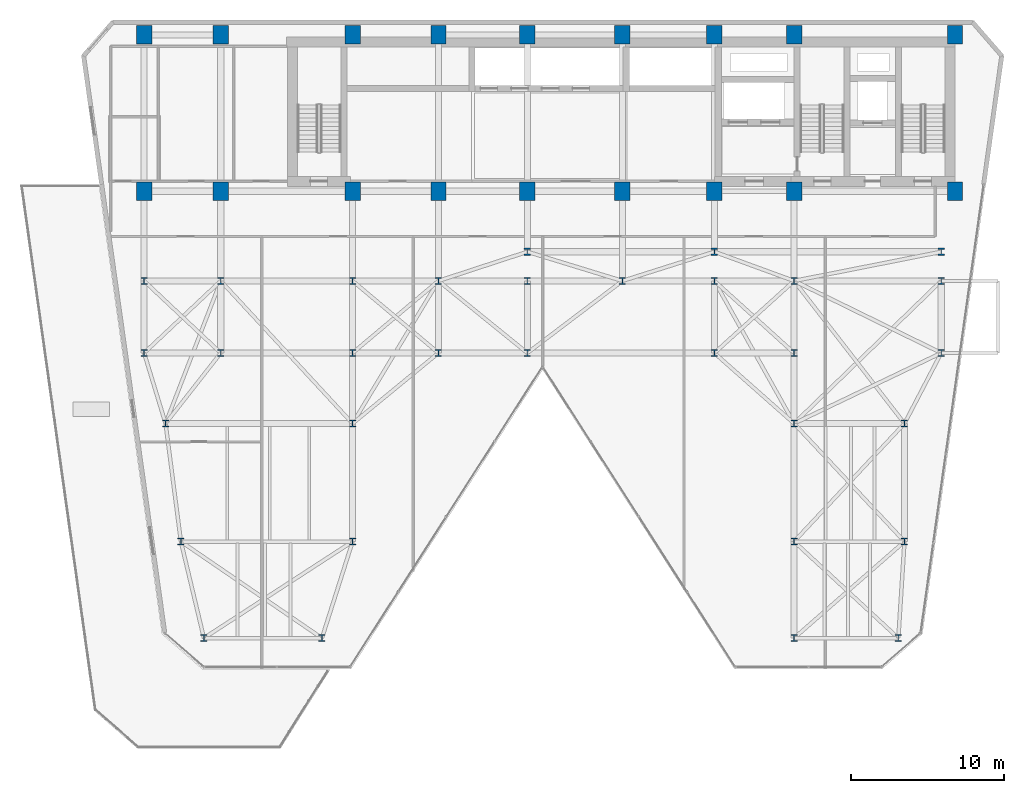
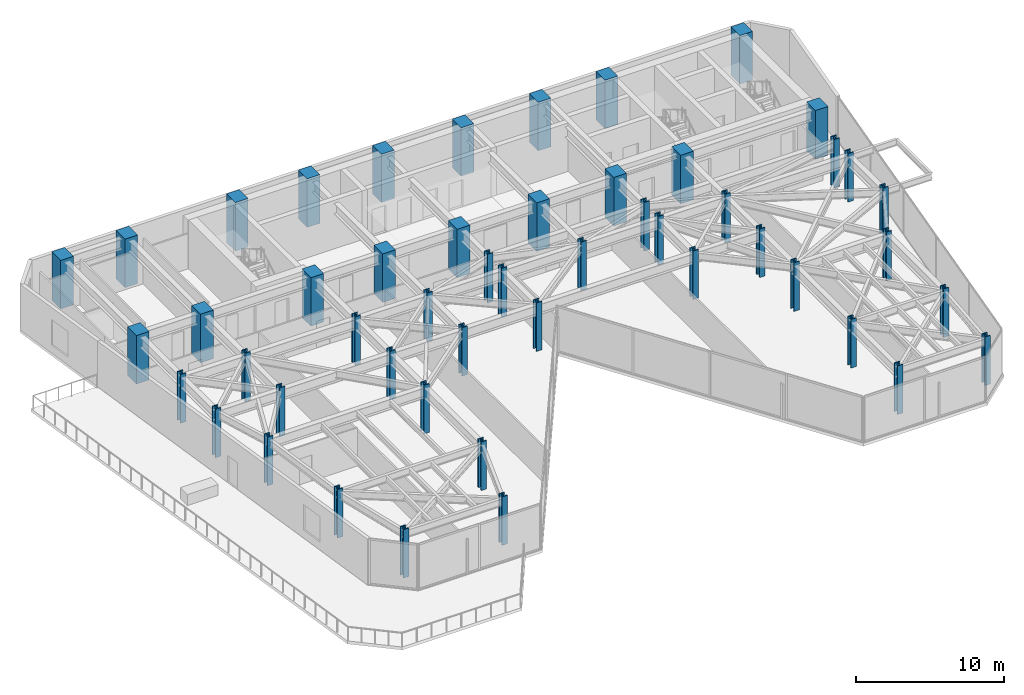
# One storey, part 1 of 24: 50 columns.
"""IFC4 building model written with IfcOpenShell, lengths in metres."""

from ifc_helpers import new_model, si_unit, direction, frame, origin, origin_2d, place, context, subcontext, project, spatial, rectangle, i_section, extrude, material, material_profile, profile_set, type_object, element, save


model = new_model("IFC4")

# Units and contexts
model_context = context("Model", 3, precision=1e-05, world=origin(), true_north=direction((0.0, 1.0)))
body_context = subcontext(model_context, "Body", "Model", "MODEL_VIEW")
ifc_project = project(units=[si_unit("LENGTHUNIT", "METRE"), si_unit("AREAUNIT", "SQUARE_METRE"), si_unit("VOLUMEUNIT", "CUBIC_METRE"), si_unit("PLANEANGLEUNIT", "RADIAN"), si_unit("MASSUNIT", "GRAM", prefix="KILO")], contexts=[model_context])

# Site, building, storey
site_placement = place(None, origin())
site = spatial("IfcSite", under=ifc_project, at=site_placement, CompositionType="ELEMENT")
building_placement = place(site_placement, origin())
building = spatial("IfcBuilding", under=site, at=building_placement, Name="Kravanh Interchange Tower", CompositionType="ELEMENT")
storey_placement = place(building_placement, frame((0.0, 0.0, 96.0)))
storey = spatial("IfcBuildingStorey", under=building, at=storey_placement, Name="L22", CompositionType="ELEMENT", Elevation=96.0)

# Columns
ifc_material_1 = material(Name="Concrete C70/85", Category="concrete")
ifc_material_profile_1 = material_profile(ifc_material_1, rectangle(XDim=1.0, YDim=1.199951171875, at=origin_2d()), Name="RC1000X1200")
ifc_profile_set_1 = profile_set([ifc_material_profile_1], Name="Concrete C70/85")
column_type_1 = type_object("IfcColumnType", Name="Column RC1000X1200 Concrete C70/85", PredefinedType="COLUMN", material=ifc_profile_set_1)
for number, where, z_axis, x_axis, name in (
    (1, (66.5, 47.550048828125, 0.0), (0.0, 0.0, 1.0), (1.0, 0.0, 0.0), "L22 Column CS01"),
    (2, (56.0, 47.550048828125, 0.0), (0.0, 0.0, 1.0), (1.0, 0.0, 0.0), "L22 Column CS02"),
    (3, (66.5, 37.35009765625, 0.0), (0.0, 0.0, 1.0), (1.0, 0.0, 0.0), "L22 Column CS03"),
    (4, (56.0, 37.35009765625, 0.0), (0.0, 0.0, 1.0), (1.0, 0.0, 0.0), "L22 Column CS04"),
    (5, (50.800048828125, 47.550048828125, 0.0), (0.0, 0.0, 1.0), (1.0, 0.0, 0.0), "L22 Column CS05"),
    (6, (50.800048828125, 37.35009765625, 0.0), (0.0, 0.0, 1.0), (1.0, 0.0, 0.0), "L22 Column CS06"),
    (7, (44.800048828125, 37.35009765625, 0.0), (0.0, 0.0, 1.0), (1.0, 0.0, 0.0), "L22 Column CS07"),
    (8, (44.800048828125, 47.550048828125, 0.0), (0.0, 0.0, 1.0), (1.0, 0.0, 0.0), "L22 Column CS08"),
    (9, (38.60009765625, 37.35009765625, 0.0), (0.0, 0.0, 1.0), (1.0, 0.0, 0.0), "L22 Column CS09"),
    (10, (38.60009765625, 47.550048828125, 0.0), (0.0, 0.0, 1.0), (1.0, 0.0, 0.0), "L22 Column CS10"),
    (11, (32.800048828125, 37.35009765625, 0.0), (0.0, 0.0, 1.0), (1.0, 0.0, 0.0), "L22 Column CS11"),
    (12, (32.800048828125, 47.550048828125, 0.0), (0.0, 0.0, 1.0), (1.0, 0.0, 0.0), "L22 Column CS12"),
    (13, (27.199951171875, 37.35009765625, 0.0), (0.0, 0.0, 1.0), (1.0, 0.0, 0.0), "L22 Column CS13"),
    (14, (27.199951171875, 47.550048828125, 0.0), (0.0, 0.0, 1.0), (1.0, 0.0, 0.0), "L22 Column CS14"),
    (15, (18.60009765625, 37.35009765625, 0.0), (0.0, 0.0, 1.0), (1.0, 0.0, 0.0), "L22 Column CS17"),
    (16, (18.60009765625, 47.550048828125, 0.0), (0.0, 0.0, 1.0), (1.0, 0.0, 0.0), "L22 Column CS18"),
    (17, (13.60009765625, 37.35009765625, 0.0), (0.0, 0.0, 1.0), (1.0, 0.0, 0.0), "L22 Column CS19"),
    (18, (13.60009765625, 47.550048828125, 0.0), (0.0, 0.0, 1.0), (1.0, 0.0, 0.0), "L22 Column CS20"),
):
    element("IfcColumn", number, at=place(storey_placement, frame(where, z_axis=z_axis, x_axis=x_axis)), inside=storey, type_object=column_type_1, Name=name, PredefinedType="COLUMN", context=body_context, shape_type="SweptSolid", body=[
        extrude(rectangle(XDim=1.0, YDim=1.199951171875, at=origin_2d()), origin(), (0.0, 0.0, 1.0), 4.0),
    ])
ifc_material_2 = material(Name="Structural Steel S450", Category="steel")
ifc_material_profile_2 = material_profile(ifc_material_2, i_section(OverallWidth=0.424072265625, OverallDepth=0.47412109375, WebThickness=0.047607421875, FlangeThickness=0.0771484375, FilletRadius=0.030029296875, at=origin_2d()), Name="W14X426")
ifc_profile_set_2 = profile_set([ifc_material_profile_2], Name="Structural Steel S450")
column_type_2 = type_object("IfcColumnType", Name="Column W14X426 Structural Steel S450", PredefinedType="COLUMN", material=ifc_profile_set_2)
for number, where, z_axis, x_axis, name in (
    (19, (17.5, 8.199951171875, 0.0), (0.0, 0.0, 1.0), (1.0, 0.0, 0.0), "L22 Column CZ2_1"),
    (20, (13.60009765625, 26.800048828125, 0.0), (0.0, 0.0, 1.0), (1.0, 0.0, 0.0), "L22 Column CZ2_11"),
    (21, (18.60009765625, 26.800048828125, 0.0), (0.0, 0.0, 1.0), (1.0, 0.0, 0.0), "L22 Column CZ2_12"),
    (22, (27.199951171875, 26.800048828125, 0.0), (0.0, 0.0, 1.0), (1.0, 0.0, 0.0), "L22 Column CZ2_13"),
    (23, (32.800048828125, 26.800048828125, 0.0), (0.0, 0.0, 1.0), (1.0, 0.0, 0.0), "L22 Column CZ2_14"),
    (24, (38.60009765625, 26.800048828125, 0.0), (0.0, 0.0, 1.0), (1.0, 0.0, 0.0), "L22 Column CZ2_14B"),
    (25, (50.800048828125, 26.800048828125, 0.0), (0.0, 0.0, 1.0), (1.0, 0.0, 0.0), "L22 Column CZ2_15"),
    (26, (56.0, 26.800048828125, 0.0), (0.0, 0.0, 1.0), (1.0, 0.0, 0.0), "L22 Column CZ2_16"),
    (27, (65.60009765625, 26.800048828125, 0.0), (0.0, 0.0, 1.0), (1.0, 0.0, 0.0), "L22 Column CZ2_17"),
    (28, (13.60009765625, 31.5, 0.0), (0.0, 0.0, 1.0), (1.0, 0.0, 0.0), "L22 Column CZ2_18"),
    (29, (18.60009765625, 31.5, 0.0), (0.0, 0.0, 1.0), (1.0, 0.0, 0.0), "L22 Column CZ2_18B"),
    (30, (27.199951171875, 31.5, 0.0), (0.0, 0.0, 1.0), (1.0, 0.0, 0.0), "L22 Column CZ2_19"),
    (31, (25.199951171875, 8.199951171875, 0.0), (0.0, 0.0, 1.0), (1.0, 0.0, 0.0), "L22 Column CZ2_2"),
    (32, (32.800048828125, 31.5, 0.0), (0.0, 0.0, 1.0), (1.0, 0.0, 0.0), "L22 Column CZ2_20"),
    (33, (38.60009765625, 31.5, 0.0), (0.0, 0.0, 1.0), (1.0, 0.0, 0.0), "L22 Column CZ2_21"),
    (34, (44.800048828125, 31.5, 0.0), (0.0, 0.0, 1.0), (1.0, 0.0, 0.0), "L22 Column CZ2_22"),
    (35, (50.800048828125, 31.5, 0.0), (0.0, 0.0, 1.0), (1.0, 0.0, 0.0), "L22 Column CZ2_23"),
    (36, (56.0, 31.5, 0.0), (0.0, 0.0, 1.0), (1.0, 0.0, 0.0), "L22 Column CZ2_24"),
    (37, (65.60009765625, 31.5, 0.0), (0.0, 0.0, 1.0), (1.0, 0.0, 0.0), "L22 Column CZ2_25"),
    (38, (56.0, 8.199951171875, 0.0), (0.0, 0.0, 1.0), (1.0, 0.0, 0.0), "L22 Column CZ2_3"),
    (39, (62.800048828125, 8.199951171875, 0.0), (0.0, 0.0, 1.0), (1.0, 0.0, 0.0), "L22 Column CZ2_4"),
    (40, (16.0, 14.5, 0.0), (0.0, 0.0, 1.0), (1.0, 0.0, 0.0), "L22 Column CZ2_5"),
    (41, (27.199951171875, 14.5, 0.0), (0.0, 0.0, 1.0), (1.0, 0.0, 0.0), "L22 Column CZ2_5B"),
    (42, (56.0, 14.5, 0.0), (0.0, 0.0, 1.0), (1.0, 0.0, 0.0), "L22 Column CZ2_5C"),
    (43, (63.199951171875, 14.5, 0.0), (0.0, 0.0, 1.0), (1.0, 0.0, 0.0), "L22 Column CZ2_5D"),
    (44, (15.0, 22.199951171875, 0.0), (0.0, 0.0, 1.0), (1.0, 0.0, 0.0), "L22 Column CZ2_6"),
    (45, (27.199951171875, 22.199951171875, 0.0), (0.0, 0.0, 1.0), (1.0, 0.0, 0.0), "L22 Column CZ2_7"),
    (46, (56.0, 22.199951171875, 0.0), (0.0, 0.0, 1.0), (1.0, 0.0, 0.0), "L22 Column CZ2_8"),
    (47, (63.199951171875, 22.199951171875, 0.0), (0.0, 0.0, 1.0), (1.0, 0.0, 0.0), "L22 Column CZ2_9"),
    (48, (38.60009765625, 33.39990234375, 0.0), (0.0, 0.0, 1.0), (1.0, 0.0, 0.0), "L22 Column CZ2_M1"),
    (49, (50.800048828125, 33.39990234375, 0.0), (0.0, 0.0, 1.0), (1.0, 0.0, 0.0), "L22 Column CZ2_M2"),
    (50, (65.60009765625, 33.39990234375, 0.0), (0.0, 0.0, 1.0), (1.0, 0.0, 0.0), "L22 Column CZ2_M3"),
):
    element("IfcColumn", number, at=place(storey_placement, frame(where, z_axis=z_axis, x_axis=x_axis)), inside=storey, type_object=column_type_2, Name=name, PredefinedType="COLUMN", context=body_context, shape_type="SweptSolid", body=[
        extrude(i_section(OverallWidth=0.424072265625, OverallDepth=0.47412109375, WebThickness=0.047607421875, FlangeThickness=0.0771484375, FilletRadius=0.030029296875, at=origin_2d()), origin(), (0.0, 0.0, 1.0), 4.0),
    ])

save(model, "model.ifc")
